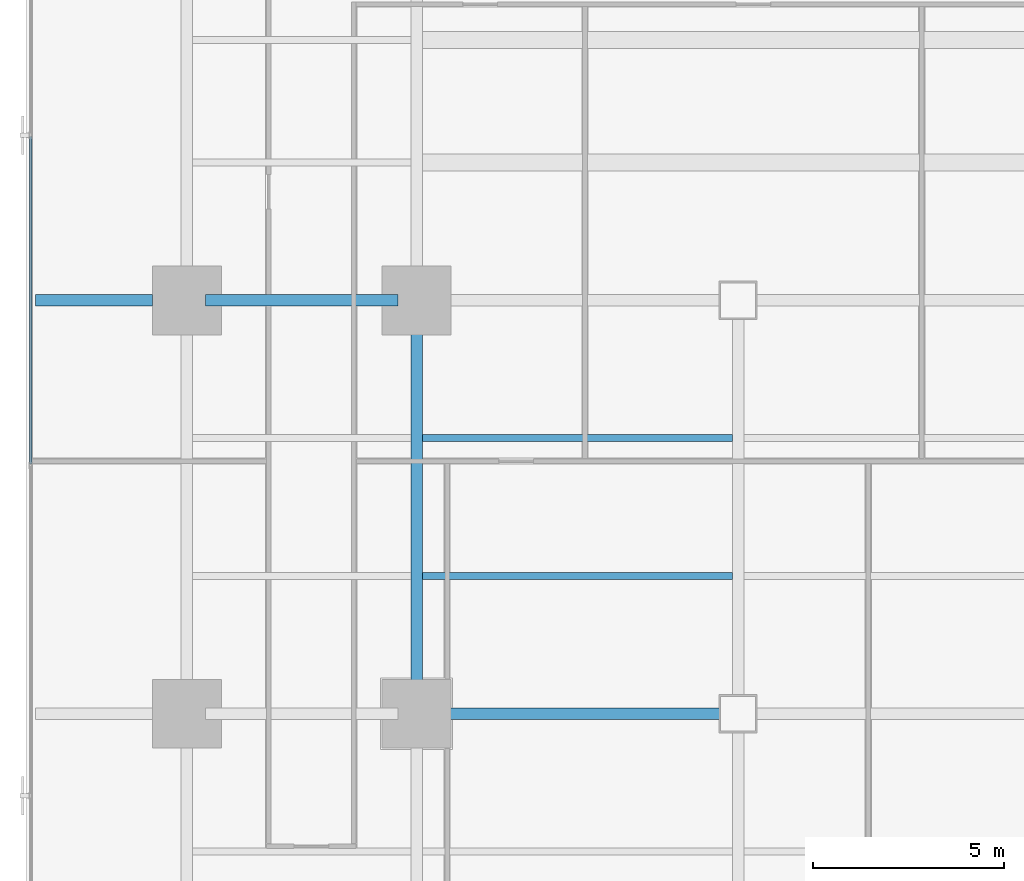
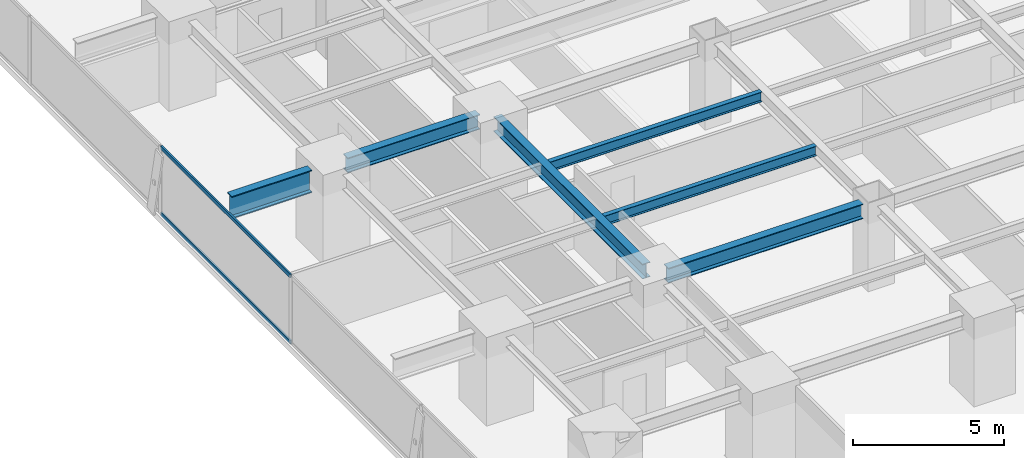
# One storey, part 8 of 33: 6 beams, 2 members, 1 element without a shape of its own.
"""IFC4 building model written with IfcOpenShell, lengths in metres."""

from ifc_helpers import new_model, si_unit, direction, frame, origin, origin_2d, place, context, subcontext, project, spatial, hollow_rectangle, i_section, extrude, source, transform, mapped, material, layer, layer_set, material_profile, profile_set, type_object, element, aggregate, save


model = new_model("IFC4")

# Units and contexts
model_context = context("Model", 3, precision=1e-05, world=origin(), true_north=direction((0.0, 1.0)))
body_context = subcontext(model_context, "Body", "Model", "MODEL_VIEW")
ifc_project = project(units=[si_unit("LENGTHUNIT", "METRE"), si_unit("AREAUNIT", "SQUARE_METRE"), si_unit("VOLUMEUNIT", "CUBIC_METRE"), si_unit("PLANEANGLEUNIT", "RADIAN"), si_unit("MASSUNIT", "GRAM", prefix="KILO")], contexts=[model_context])

# Site, building, storey
site_placement = place(None, origin())
site = spatial("IfcSite", under=ifc_project, at=site_placement, CompositionType="ELEMENT")
building_placement = place(site_placement, origin())
building = spatial("IfcBuilding", under=site, at=building_placement, Name="Sumidabori Civic Tower", CompositionType="ELEMENT")
storey_placement = place(building_placement, frame((0.0, 0.0, 27.199951171875)))
storey = spatial("IfcBuildingStorey", under=building, at=storey_placement, Name="L06", CompositionType="ELEMENT", Elevation=27.199951171875)

# Beams
ifc_material_1 = material(Name="Steel SN490", Category="steel")
ifc_material_profile_1 = material_profile(ifc_material_1, i_section(OverallWidth=0.300048828125, OverallDepth=0.60009765625, WebThickness=0.015380859375, FlangeThickness=0.030029296875, at=origin_2d()), Name="HE 600 B")
ifc_profile_set_1 = profile_set([ifc_material_profile_1], Name="Steel SN490")
beam_type_1 = type_object("IfcBeamType", Name="BM-GIRD-600", PredefinedType="BEAM", material=ifc_profile_set_1)
shared_shape_1 = source(origin(), body_context, "Body", "SweptSolid", [
    extrude(i_section(OverallWidth=0.300048828125, OverallDepth=0.60009765625, WebThickness=0.015380859375, FlangeThickness=0.030029296875, at=origin_2d()), origin(), (0.0, 0.0, 1.0), 5.0400390625),
])
beam_1_placement = place(storey_placement, frame((-22.320068359375, 0.0, 3.06005859375), z_axis=(1.0, 0.0, 0.0), x_axis=(0.0, 1.0, 0.0)))
element("IfcBeam", 1, at=beam_1_placement, inside=storey, type_object=beam_type_1, Name="Primary Girder L06 GX-13", PredefinedType="BEAM", context=body_context, shape_type="MappedRepresentation", body=[
    mapped(shared_shape_1, transform((0.0, 0.0, 0.0), x_axis=(1.0, 0.0, 0.0), y_axis=(0.0, 1.0, 0.0), z_axis=(0.0, 0.0, 1.0), scale=1.0)),
])
shared_shape_2 = source(origin(), body_context, "Body", "SweptSolid", [
    extrude(i_section(OverallWidth=0.300048828125, OverallDepth=0.60009765625, WebThickness=0.015380859375, FlangeThickness=0.030029296875, at=origin_2d()), origin(), (0.0, 0.0, 1.0), 7.440185546875),
])
beam_2_placement = place(storey_placement, frame((-16.320068359375, -10.800048828125, 3.06005859375), z_axis=(1.0, 0.0, 0.0), x_axis=(0.0, 1.0, 0.0)))
element("IfcBeam", 2, at=beam_2_placement, inside=storey, type_object=beam_type_1, Name="Primary Girder L06 GX-08", PredefinedType="BEAM", context=body_context, shape_type="MappedRepresentation", body=[
    mapped(shared_shape_2, transform((0.0, 0.0, 0.0), x_axis=(1.0, 0.0, 0.0), y_axis=(0.0, 1.0, 0.0), z_axis=(0.0, 0.0, 1.0), scale=1.0)),
])
shared_shape_3 = source(origin(), body_context, "Body", "SweptSolid", [
    extrude(i_section(OverallWidth=0.300048828125, OverallDepth=0.60009765625, WebThickness=0.015380859375, FlangeThickness=0.030029296875, at=origin_2d()), origin(), (0.0, 0.0, 1.0), 9.840087890625),
])
beam_3_placement = place(storey_placement, frame((-16.800048828125, -10.320068359375, 3.06005859375), z_axis=(0.0, 1.0, 0.0), x_axis=(-1.0, 0.0, 0.0)))
element("IfcBeam", 3, at=beam_3_placement, inside=storey, type_object=beam_type_1, Name="Primary Girder L06 GY-26", PredefinedType="BEAM", context=body_context, shape_type="MappedRepresentation", body=[
    mapped(shared_shape_3, transform((0.0, 0.0, 0.0), x_axis=(1.0, 0.0, 0.0), y_axis=(0.0, 1.0, 0.0), z_axis=(0.0, 0.0, 1.0), scale=1.0)),
])
ifc_material_profile_2 = material_profile(ifc_material_1, i_section(OverallWidth=0.302001953125, OverallDepth=0.909912109375, WebThickness=0.02099609375, FlangeThickness=0.0400390625, at=origin_2d()), Name="HE 900 M")
ifc_profile_set_2 = profile_set([ifc_material_profile_2], Name="Steel SN490")
beam_type_2 = type_object("IfcBeamType", Name="BM-Z1-EDGE", PredefinedType="SPANDREL", material=ifc_profile_set_2)
shared_shape_4 = source(origin(), body_context, "Body", "SweptSolid", [
    extrude(i_section(OverallWidth=0.302001953125, OverallDepth=0.909912109375, WebThickness=0.02099609375, FlangeThickness=0.0400390625, at=origin_2d()), origin(), (0.0, 0.0, 1.0), 3.050048828125),
])
beam_4_placement = place(storey_placement, frame((-26.75, 0.0, 2.905029296875), z_axis=(1.0, 0.0, 0.0), x_axis=(0.0, 1.0, 0.0)))
element("IfcBeam", 4, at=beam_4_placement, inside=storey, type_object=beam_type_2, Name="Perimeter Overhang Beam L06 W-46", PredefinedType="SPANDREL", context=body_context, shape_type="MappedRepresentation", body=[
    mapped(shared_shape_4, transform((0.0, 0.0, 0.0), x_axis=(1.0, 0.0, 0.0), y_axis=(0.0, 1.0, 0.0), z_axis=(0.0, 0.0, 1.0), scale=1.0)),
])
ifc_material_profile_3 = material_profile(ifc_material_1, i_section(OverallWidth=0.179931640625, OverallDepth=0.39990234375, WebThickness=0.008544921875, FlangeThickness=0.013427734375, at=origin_2d()), Name="IPE 400")
ifc_profile_set_3 = profile_set([ifc_material_profile_3], Name="Steel SN490")
beam_type_3 = type_object("IfcBeamType", Name="BM-JST-400", PredefinedType="JOIST", material=ifc_profile_set_3)
shared_shape_5 = source(origin(), body_context, "Body", "SweptSolid", [
    extrude(i_section(OverallWidth=0.179931640625, OverallDepth=0.39990234375, WebThickness=0.008544921875, FlangeThickness=0.013427734375, at=origin_2d()), origin(), (0.0, 0.0, 1.0), 8.099853515625),
])
for number, where, z_axis, x_axis, name in (
    (5, (-16.64990234375, -7.199951171875, 3.16015625), (1.0, 0.0, 0.0), (0.0, 1.0, 0.0), "South Bay Floor Joist L06 JSTS-65"),
    (6, (-16.64990234375, -3.60009765625, 3.16015625), (1.0, 0.0, 0.0), (0.0, 1.0, 0.0), "South Bay Floor Joist L06 JSTS-69"),
):
    element("IfcBeam", number, at=place(storey_placement, frame(where, z_axis=z_axis, x_axis=x_axis)), inside=storey, type_object=beam_type_3, Name=name, PredefinedType="JOIST", context=body_context, shape_type="MappedRepresentation", body=[
        mapped(shared_shape_5, transform((0.0, 0.0, 0.0), x_axis=(1.0, 0.0, 0.0), y_axis=(0.0, 1.0, 0.0), z_axis=(0.0, 0.0, 1.0), scale=1.0)),
    ])

# Curtain wall, members
ifc_material_2 = material(Name="Anodised Bronze Aluminium AW-6063-T6", Category="aluminium")
ifc_layer = layer(ifc_material_2, 0.179931640625, Name="Anodised Bronze Aluminium AW-6063-T6")
ifc_layer_set = layer_set([ifc_layer], Name="Anodised Bronze Aluminium AW-6063-T6")
curtain_wall_type = type_object("IfcCurtainWallType", Name="CW-SYS-2", PredefinedType="NOTDEFINED", material=ifc_layer_set)
curtain_wall_placement = place(storey_placement, origin())
curtain_wall = element("IfcCurtainWall", 7, at=curtain_wall_placement, inside=storey, type_object=curtain_wall_type, Name="Curtain Wall CW:L06:R10", PredefinedType="NOTDEFINED")
ifc_material_profile_4 = material_profile(ifc_material_2, hollow_rectangle(XDim=0.06494140625, YDim=0.14990234375, WallThickness=0.0048828125, at=origin_2d()), Name="ALU TRANSOM 150x65")
ifc_profile_set_4 = profile_set([ifc_material_profile_4], Name="Anodised Bronze Aluminium AW-6063-T6")
member_type = type_object("IfcMemberType", Name="CW-TRN-150", PredefinedType="USERDEFINED", material=ifc_profile_set_4)
shared_shape_6 = source(origin(), body_context, "Body", "SweptSolid", [
    extrude(hollow_rectangle(XDim=0.06494140625, YDim=0.14990234375, WallThickness=0.0048828125, at=origin_2d()), origin(), (0.0, 0.0, 1.0), 8.55810546875),
])
member_1_placement = place(storey_placement, frame((-26.8798828125, 4.279052734375, 0.032470703125), z_axis=(0.0, -1.0, 0.0), x_axis=(1.0, 0.0, 0.0)))
member_1 = element("IfcMember", 8, at=member_1_placement, type_object=member_type, Name="CW-2 transom 3.1", ObjectType="TRANSOM", PredefinedType="USERDEFINED", context=body_context, shape_type="MappedRepresentation", body=[
    mapped(shared_shape_6, transform((0.0, 0.0, 0.0), x_axis=(1.0, 0.0, 0.0), y_axis=(0.0, 1.0, 0.0), z_axis=(0.0, 0.0, 1.0), scale=1.0)),
])
member_2_placement = place(storey_placement, frame((-26.8798828125, 4.279052734375, 2.70751953125), z_axis=(0.0, -1.0, 0.0), x_axis=(1.0, 0.0, 0.0)))
member_2 = element("IfcMember", 9, at=member_2_placement, type_object=member_type, Name="CW-2 transom 3.2", ObjectType="TRANSOM", PredefinedType="USERDEFINED", context=body_context, shape_type="MappedRepresentation", body=[
    mapped(shared_shape_6, transform((0.0, 0.0, 0.0), x_axis=(1.0, 0.0, 0.0), y_axis=(0.0, 1.0, 0.0), z_axis=(0.0, 0.0, 1.0), scale=1.0)),
])
aggregate(curtain_wall, [member_1, member_2])

save(model, "model.ifc")
